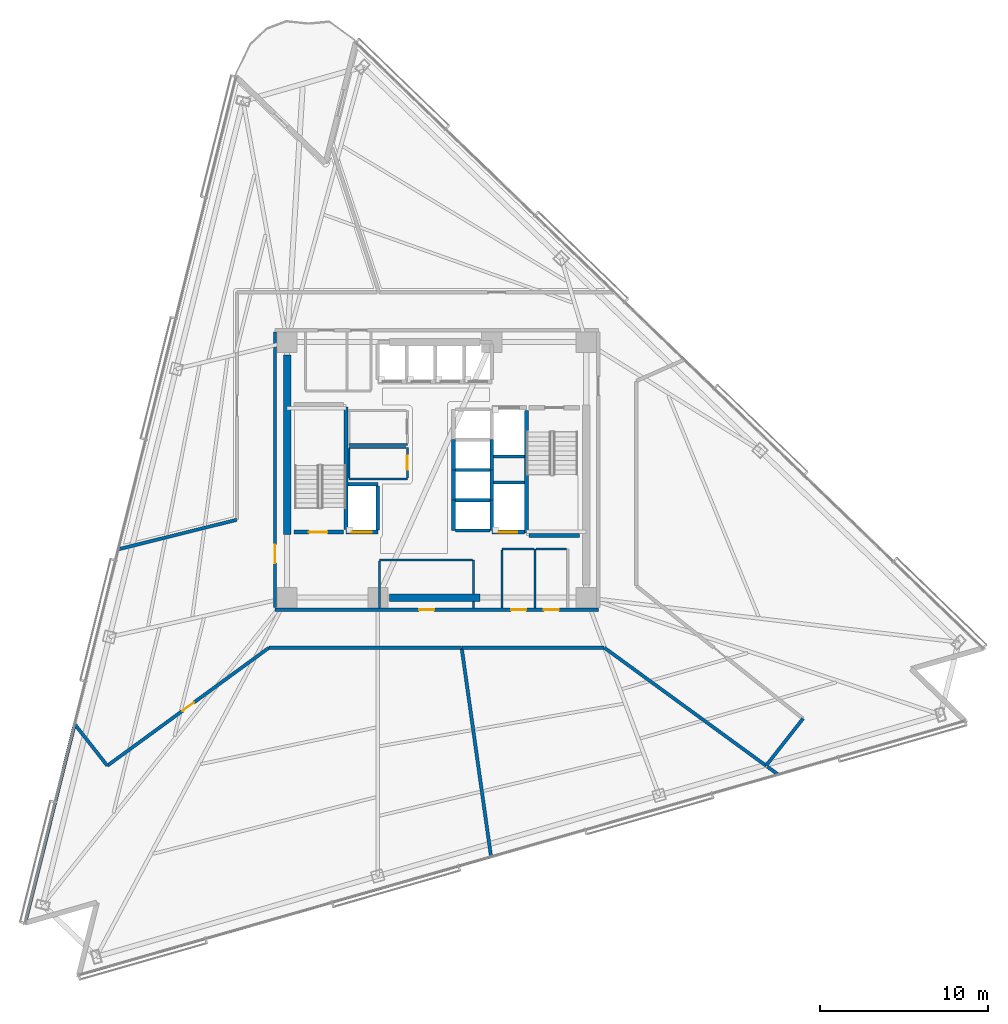
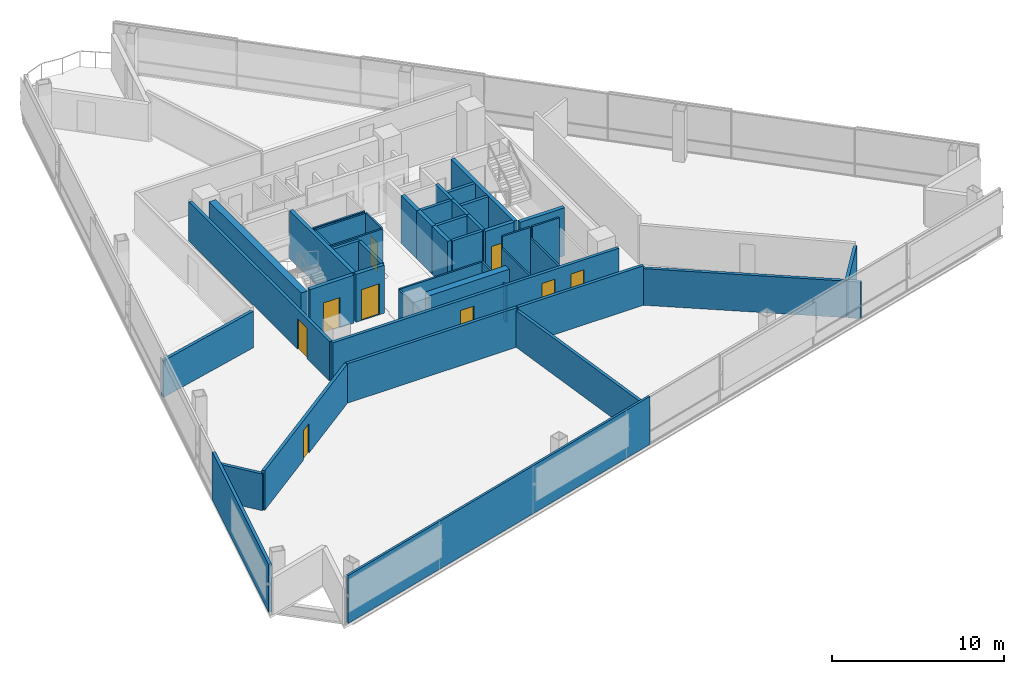
# One storey, part 9 of 18: 47 walls, 9 doors, 9 openings.
"""IFC4 building model written with IfcOpenShell, lengths in metres."""

from ifc_helpers import new_model, si_unit, direction, frame, frame_2d, origin, place, context, subcontext, project, spatial, rectangle, extrude, material, layer, layer_set, type_object, element, fill, save


model = new_model("IFC4")

# Units and contexts
model_context = context("Model", 3, precision=1e-05, world=origin(), true_north=direction((0.0, 1.0)))
body_context = subcontext(model_context, "Body", "Model", "MODEL_VIEW")
ifc_project = project(units=[si_unit("LENGTHUNIT", "METRE"), si_unit("AREAUNIT", "SQUARE_METRE"), si_unit("VOLUMEUNIT", "CUBIC_METRE"), si_unit("PLANEANGLEUNIT", "RADIAN"), si_unit("MASSUNIT", "GRAM", prefix="KILO")], contexts=[model_context])

# Site, building, storey
site_placement = place(None, origin())
site = spatial("IfcSite", under=ifc_project, at=site_placement, CompositionType="ELEMENT")
building_placement = place(site_placement, origin())
building = spatial("IfcBuilding", under=site, at=building_placement, Name="Tharavind Bronze Gate", CompositionType="ELEMENT")
storey_placement = place(building_placement, frame((0.0, 0.0, 100.5)))
storey = spatial("IfcBuildingStorey", under=building, at=storey_placement, Name="L25", CompositionType="ELEMENT", Elevation=100.5)

# Wall, openings, doors
ifc_material_1 = material(Name="Aerated Concrete Block", Category="concrete")
ifc_layer_1 = layer(ifc_material_1, 0.199951171875)
ifc_layer_set_1 = layer_set([ifc_layer_1], Name="Aerated Concrete Block")
wall_type_1 = type_object("IfcWallType", Name="FIRE RATED PARTITION 200", PredefinedType="PARTITIONING", material=ifc_layer_set_1)
wall_1_placement = place(storey_placement, frame((-9.6201171875, -8.320068359375, 0.0), z_axis=(0.0, 0.0, 1.0), x_axis=(1.0, 0.0, 0.0)))
wall_1 = element("IfcWall", 1, at=wall_1_placement, inside=storey, type_object=wall_type_1, Name="L25 south core corridor wall", PredefinedType="PARTITIONING", context=body_context, shape_type="SweptSolid", body=[
    extrude(rectangle(XDim=19.240234375, YDim=0.199951171875, at=frame_2d((9.6201171875, 0.0))), origin(), (0.0, 0.0, 1.0), 2.804931640625),
])
opening_1_placement = place(wall_1_placement, frame((8.570068359375, 0.0, 0.0)))
opening_1 = element("IfcOpeningElement", 2, at=opening_1_placement, cuts=wall_1, Name="Opening ID07", PredefinedType="OPENING", context=body_context, shape_type="SweptSolid", body=[
    extrude(rectangle(XDim=0.89990234375, YDim=2.10009765625, at=frame_2d((0.449951171875, 1.050048828125))), frame((0.0, 0.11009765625, 0.0), z_axis=(0.0, -1.0, 0.0), x_axis=(1.0, 0.0, 0.0)), (0.0, 0.0, 1.0), 0.219951171875),
])
opening_2_placement = place(wall_1_placement, frame((14.044921875, 0.0, 0.0)))
opening_2 = element("IfcOpeningElement", 3, at=opening_2_placement, cuts=wall_1, Name="Opening ID07", PredefinedType="OPENING", context=body_context, shape_type="SweptSolid", body=[
    extrude(rectangle(XDim=0.89990234375, YDim=2.10009765625, at=frame_2d((0.449951171875, 1.050048828125))), frame((0.0, 0.11009765625, 0.0), z_axis=(0.0, -1.0, 0.0), x_axis=(1.0, 0.0, 0.0)), (0.0, 0.0, 1.0), 0.219951171875),
])
opening_3_placement = place(wall_1_placement, frame((15.9951171875, 0.0, 0.0)))
opening_3 = element("IfcOpeningElement", 4, at=opening_3_placement, cuts=wall_1, Name="Opening ID07", PredefinedType="OPENING", context=body_context, shape_type="SweptSolid", body=[
    extrude(rectangle(XDim=0.89990234375, YDim=2.10009765625, at=frame_2d((0.449951171875, 1.050048828125))), frame((0.0, 0.11009765625, 0.0), z_axis=(0.0, -1.0, 0.0), x_axis=(1.0, 0.0, 0.0)), (0.0, 0.0, 1.0), 0.219951171875),
])
ifc_material_2 = material(Name="Galvanised Fire Steel", Category="steel")
door_type_1 = type_object("IfcDoorType", Name="PLANT AND RISER FIRE DOOR 900X2100", OperationType="SINGLE_SWING_LEFT", PredefinedType="DOOR", material=ifc_material_2)
door_1_placement = place(opening_1_placement, origin())
door_1 = element("IfcDoor", 5, at=door_1_placement, inside=storey, type_object=door_type_1, Name="L25 Core BMS Control Room fire door", OperationType="SINGLE_SWING_LEFT", OverallHeight=2.10009765625, OverallWidth=0.89990234375, PredefinedType="DOOR", context=body_context, shape_type="SweptSolid", body=[
    extrude(rectangle(XDim=0.89990234375, YDim=2.10009765625, at=frame_2d((0.449951171875, 1.050048828125))), frame((0.0, 0.02490234375, 0.0), z_axis=(0.0, -1.0, 0.0), x_axis=(1.0, 0.0, 0.0)), (0.0, 0.0, 1.0), 0.050048828125),
])
fill(opening_1, door_1)
door_2_placement = place(opening_2_placement, origin())
door_2 = element("IfcDoor", 6, at=door_2_placement, inside=storey, type_object=door_type_1, Name="L25 Comms Patch Room fire door", OperationType="SINGLE_SWING_LEFT", OverallHeight=2.10009765625, OverallWidth=0.89990234375, PredefinedType="DOOR", context=body_context, shape_type="SweptSolid", body=[
    extrude(rectangle(XDim=0.89990234375, YDim=2.10009765625, at=frame_2d((0.449951171875, 1.050048828125))), frame((0.0, 0.02490234375, 0.0), z_axis=(0.0, -1.0, 0.0), x_axis=(1.0, 0.0, 0.0)), (0.0, 0.0, 1.0), 0.050048828125),
])
fill(opening_2, door_2)
door_3_placement = place(opening_3_placement, origin())
door_3 = element("IfcDoor", 7, at=door_3_placement, inside=storey, type_object=door_type_1, Name="L25 Housekeeping Store fire door", OperationType="SINGLE_SWING_LEFT", OverallHeight=2.10009765625, OverallWidth=0.89990234375, PredefinedType="DOOR", context=body_context, shape_type="SweptSolid", body=[
    extrude(rectangle(XDim=0.89990234375, YDim=2.10009765625, at=frame_2d((0.449951171875, 1.050048828125))), frame((0.0, 0.02490234375, 0.0), z_axis=(0.0, -1.0, 0.0), x_axis=(1.0, 0.0, 0.0)), (0.0, 0.0, 1.0), 0.050048828125),
])
fill(opening_3, door_3)

# Wall, opening, door
wall_2_placement = place(storey_placement, frame((-9.6201171875, 8.199951171875, 0.0), z_axis=(0.0, 0.0, 1.0), x_axis=(0.0, -1.0, 0.0)))
wall_2 = element("IfcWall", 8, at=wall_2_placement, inside=storey, type_object=wall_type_1, Name="L25 west core corridor wall", PredefinedType="PARTITIONING", context=body_context, shape_type="SweptSolid", body=[
    extrude(rectangle(XDim=16.39990234375, YDim=0.199951171875, at=frame_2d((8.199951171875, 0.0))), origin(), (0.0, 0.0, 1.0), 2.804931640625),
])
opening_4_placement = place(wall_2_placement, frame((12.64990234375, 0.0, 0.0)))
opening_4 = element("IfcOpeningElement", 9, at=opening_4_placement, cuts=wall_2, Name="Opening ID01", PredefinedType="OPENING", context=body_context, shape_type="SweptSolid", body=[
    extrude(rectangle(XDim=1.10009765625, YDim=2.14990234375, at=frame_2d((0.550048828125, 1.074951171875))), frame((0.0, 0.11009765625, 0.0), z_axis=(0.0, -1.0, 0.0), x_axis=(1.0, 0.0, 0.0)), (0.0, 0.0, 1.0), 0.219951171875),
])
ifc_material_3 = material(Name="Fire-Rated Steel", Category="steel")
door_type_2 = type_object("IfcDoorType", Name="STAIR CORE FIRE DOOR 1100X2150", OperationType="SINGLE_SWING_LEFT", PredefinedType="DOOR", material=ifc_material_3)
door_4_placement = place(opening_4_placement, frame((1.10009765625, 0.0, 0.0), z_axis=(0.0, 0.0, 1.0), x_axis=(-1.0, 0.0, 0.0)))
door_4 = element("IfcDoor", 10, at=door_4_placement, inside=storey, type_object=door_type_2, Name="L25 south west stair lobby fire door", OperationType="SINGLE_SWING_LEFT", OverallHeight=2.14990234375, OverallWidth=1.10009765625, PredefinedType="DOOR", context=body_context, shape_type="SweptSolid", body=[
    extrude(rectangle(XDim=1.10009765625, YDim=2.14990234375, at=frame_2d((0.550048828125, 1.074951171875))), frame((0.0, 0.02490234375, 0.0), z_axis=(0.0, -1.0, 0.0), x_axis=(1.0, 0.0, 0.0)), (0.0, 0.0, 1.0), 0.050048828125),
])
fill(opening_4, door_4)

# Wall
wall_3_placement = place(storey_placement, frame((-21.539306640625, -15.1318359375, 0.0), z_axis=(0.0, 0.0, 1.0), x_axis=(0.617821551932, -0.786318338822, 0.0)))
element("IfcWall", 11, at=wall_3_placement, inside=storey, type_object=wall_type_1, Name="L25 Public Restrooms Block partition", PredefinedType="PARTITIONING", context=body_context, shape_type="SweptSolid", body=[
    extrude(rectangle(XDim=3.138427734375, YDim=0.199951171875, at=frame_2d((1.5693359375, 0.0))), origin(), (0.0, 0.0, 1.0), 2.60498046875),
])

# Wall, opening, door
wall_4_placement = place(storey_placement, frame((-19.599609375, -17.599609375, 0.0), z_axis=(0.0, 0.0, 1.0), x_axis=(0.807841894842, 0.589399247486, 0.0)))
wall_4 = element("IfcWall", 12, at=wall_4_placement, inside=storey, type_object=wall_type_1, Name="L25 Public Restrooms Block partition", PredefinedType="PARTITIONING", context=body_context, shape_type="SweptSolid", body=[
    extrude(rectangle(XDim=11.90185546875, YDim=0.199951171875, at=frame_2d((5.950927734375, 0.0))), origin(), (0.0, 0.0, 1.0), 2.804931640625),
])
opening_5_placement = place(wall_4_placement, frame((5.52587890625, 0.0, 0.0)))
opening_5 = element("IfcOpeningElement", 13, at=opening_5_placement, cuts=wall_4, Name="Opening ID06", PredefinedType="OPENING", context=body_context, shape_type="SweptSolid", body=[
    extrude(rectangle(XDim=0.85009765625, YDim=2.10009765625, at=frame_2d((0.425048828125, 1.050048828125))), frame((0.0, 0.11009765625, 0.0), z_axis=(0.0, -1.0, 0.0), x_axis=(1.0, 0.0, 0.0)), (0.0, 0.0, 1.0), 0.219951171875),
])
ifc_material_4 = material(Name="Moisture-Resistant Timber", Category="wood")
door_type_3 = type_object("IfcDoorType", Name="BATHROOM PRIVACY DOOR 850X2100", OperationType="SINGLE_SWING_RIGHT", PredefinedType="DOOR", material=ifc_material_4)
door_5_placement = place(opening_5_placement, origin())
door_5 = element("IfcDoor", 14, at=door_5_placement, inside=storey, type_object=door_type_3, Name="L25 Public Restrooms Block door", OperationType="SINGLE_SWING_RIGHT", OverallHeight=2.10009765625, OverallWidth=0.85009765625, PredefinedType="DOOR", context=body_context, shape_type="SweptSolid", body=[
    extrude(rectangle(XDim=0.85009765625, YDim=2.10009765625, at=frame_2d((0.425048828125, 1.050048828125))), frame((0.0, 0.02490234375, 0.0), z_axis=(0.0, -1.0, 0.0), x_axis=(1.0, 0.0, 0.0)), (0.0, 0.0, 1.0), 0.050048828125),
])
fill(opening_5, door_5)

# Walls
wall_5_placement = place(storey_placement, frame((-9.969970703125, -10.580078125, 0.0), z_axis=(0.0, 0.0, 1.0), x_axis=(1.0, 0.0, 0.0)))
element("IfcWall", 15, at=wall_5_placement, inside=storey, type_object=wall_type_1, Name="L25 Public Restrooms Block partition", PredefinedType="PARTITIONING", context=body_context, shape_type="SweptSolid", body=[
    extrude(rectangle(XDim=11.43505859375, YDim=0.199951171875, at=frame_2d((5.717529296875, 0.0))), origin(), (0.0, 0.0, 1.0), 2.804931640625),
])
wall_6_placement = place(storey_placement, frame((1.489990234375, -10.6015625, 0.0), z_axis=(0.0, 0.0, 1.0), x_axis=(0.139175607773, -0.990267716429, 0.0)))
element("IfcWall", 16, at=wall_6_placement, inside=storey, type_object=wall_type_1, Name="L25 Public Restrooms Block partition", PredefinedType="PARTITIONING", context=body_context, shape_type="SweptSolid", body=[
    extrude(rectangle(XDim=12.5126953125, YDim=0.199951171875, at=frame_2d((6.25634765625, 0.0))), origin(), (0.0, 0.0, 1.0), 2.60498046875),
])
wall_7_placement = place(storey_placement, frame((-24.446044921875, -26.789794921875, 0.0), z_axis=(0.0, 0.0, 1.0), x_axis=(0.241921580704, 0.970295804788, 0.0)))
element("IfcWall", 17, at=wall_7_placement, inside=storey, type_object=wall_type_1, Name="L25 Public Restrooms Block partition", PredefinedType="PARTITIONING", context=body_context, shape_type="SweptSolid", body=[
    extrude(rectangle(XDim=11.882080078125, YDim=0.199951171875, at=frame_2d((5.94091796875, 0.0))), origin(), (0.0, 0.0, 1.0), 3.409912109375),
])
wall_8_placement = place(storey_placement, frame((-11.89892578125, -2.966796875, 0.0), z_axis=(0.0, 0.0, 1.0), x_axis=(-0.970294606892, -0.241926385161, 0.0)))
element("IfcWall", 18, at=wall_8_placement, inside=storey, type_object=wall_type_1, Name="L25 Design Review Room partition", PredefinedType="PARTITIONING", context=body_context, shape_type="SweptSolid", body=[
    extrude(rectangle(XDim=7.2607421875, YDim=0.199951171875, at=frame_2d((3.63037109375, 0.0))), origin(), (0.0, 0.0, 1.0), 2.60498046875),
])
wall_9_placement = place(storey_placement, frame((19.600341796875, -17.599609375, 0.0), z_axis=(0.0, 0.0, 1.0), x_axis=(0.617812464937, 0.786325478519, 0.0)))
element("IfcWall", 19, at=wall_9_placement, inside=storey, type_object=wall_type_1, Name="L25 Design Tea Pantry partition", PredefinedType="PARTITIONING", context=body_context, shape_type="SweptSolid", body=[
    extrude(rectangle(XDim=3.5595703125, YDim=0.199951171875, at=frame_2d((1.77978515625, 0.0))), origin(), (0.0, 0.0, 1.0), 2.60498046875),
])
wall_10_placement = place(storey_placement, frame((1.515625, -10.580078125, 0.0), z_axis=(0.0, 0.0, 1.0), x_axis=(1.0, 0.0, 0.0)))
element("IfcWall", 20, at=wall_10_placement, inside=storey, type_object=wall_type_1, Name="L25 Design Tea Pantry partition", PredefinedType="PARTITIONING", context=body_context, shape_type="SweptSolid", body=[
    extrude(rectangle(XDim=8.454345703125, YDim=0.199951171875, at=frame_2d((4.22705078125, 0.0))), origin(), (0.0, 0.0, 1.0), 2.804931640625),
])
wall_11_placement = place(storey_placement, frame((9.98486328125, -10.584716796875, 0.0), z_axis=(0.0, 0.0, 1.0), x_axis=(0.807843141824, -0.589397538345, 0.0)))
element("IfcWall", 21, at=wall_11_placement, inside=storey, type_object=wall_type_1, Name="L25 Design Tea Pantry partition", PredefinedType="PARTITIONING", context=body_context, shape_type="SweptSolid", body=[
    extrude(rectangle(XDim=11.91845703125, YDim=0.199951171875, at=frame_2d((5.959228515625, 0.0))), origin(), (0.0, 0.0, 1.0), 2.60498046875),
])
wall_12_placement = place(storey_placement, frame((19.684814453125, -17.661865234375, 0.0), z_axis=(0.0, 0.0, 1.0), x_axis=(0.807957444925, -0.589240839717, 0.0)))
element("IfcWall", 22, at=wall_12_placement, inside=storey, type_object=wall_type_1, Name="L25 Design Tea Pantry partition", PredefinedType="PARTITIONING", context=body_context, shape_type="SweptSolid", body=[
    extrude(rectangle(XDim=0.7734375, YDim=0.199951171875, at=frame_2d((0.38671875, 0.0))), origin(), (0.0, 0.0, 1.0), 2.60498046875),
])
ifc_material_5 = material(Name="Metal Stud Gypsum Partition", Category="gypsum")
ifc_layer_2 = layer(ifc_material_5, 0.1201171875)
ifc_layer_set_2 = layer_set([ifc_layer_2], Name="Metal Stud Gypsum Partition")
wall_type_2 = type_object("IfcWallType", Name="INTERIOR PARTITION WALL 120", PredefinedType="PARTITIONING", material=ifc_layer_set_2)
for number, where, z_axis, x_axis, name in (
    (23, (-5.219970703125, 1.52001953125, 0.0), (0.0, 0.0, 1.0), (1.0, 0.0, 0.0), "L25 Cleaner Store Room partition 1"),
    (24, (-5.219970703125, -0.550048828125, 0.0), (0.0, 0.0, 1.0), (1.0, 0.0, 0.0), "L25 Electrical Switch Room partition 1"),
):
    element("IfcWall", number, at=place(storey_placement, frame(where, z_axis=z_axis, x_axis=x_axis)), inside=storey, type_object=wall_type_2, Name=name, PredefinedType="PARTITIONING", context=body_context, shape_type="SweptSolid", body=[
        extrude(rectangle(XDim=3.469970703125, YDim=0.1201171875, at=frame_2d((1.73486328125, 0.0))), origin(), (0.0, 0.0, 1.0), 3.409912109375),
    ])

# Wall, opening, door
wall_13_placement = place(storey_placement, frame((-1.75, -0.485107421875, 0.0), z_axis=(0.0, 0.0, 1.0), x_axis=(0.0, 1.0, 0.0)))
wall_13 = element("IfcWall", 25, at=wall_13_placement, inside=storey, type_object=wall_type_2, Name="L25 Electrical Switch Room partition 2", PredefinedType="PARTITIONING", context=body_context, shape_type="SweptSolid", body=[
    extrude(rectangle(XDim=1.8251953125, YDim=0.1201171875, at=frame_2d((0.91259765625, 0.0))), origin(), (0.0, 0.0, 1.0), 3.409912109375),
])
opening_6_placement = place(wall_13_placement, frame((0.488037109375, 0.0, 0.0)))
opening_6 = element("IfcOpeningElement", 26, at=opening_6_placement, cuts=wall_13, Name="Opening ID06", PredefinedType="OPENING", context=body_context, shape_type="SweptSolid", body=[
    extrude(rectangle(XDim=0.85009765625, YDim=2.10009765625, at=frame_2d((0.425048828125, 1.050048828125))), frame((0.0, 0.07005859375, 0.0), z_axis=(0.0, -1.0, 0.0), x_axis=(1.0, 0.0, 0.0)), (0.0, 0.0, 1.0), 0.1401171875),
])
door_6_placement = place(opening_6_placement, frame((0.85009765625, 0.0, 0.0), z_axis=(0.0, 0.0, 1.0), x_axis=(-1.0, 0.0, 0.0)))
door_6 = element("IfcDoor", 27, at=door_6_placement, inside=storey, type_object=door_type_3, Name="L25 Electrical Switch Room door", OperationType="SINGLE_SWING_RIGHT", OverallHeight=2.10009765625, OverallWidth=0.85009765625, PredefinedType="DOOR", context=body_context, shape_type="SweptSolid", body=[
    extrude(rectangle(XDim=0.85009765625, YDim=2.10009765625, at=frame_2d((0.425048828125, 1.050048828125))), frame((0.0, 0.02490234375, 0.0), z_axis=(0.0, -1.0, 0.0), x_axis=(1.0, 0.0, 0.0)), (0.0, 0.0, 1.0), 0.050048828125),
])
fill(opening_6, door_6)

# Walls
wall_14_placement = place(storey_placement, frame((-1.81494140625, 1.340087890625, 0.0), z_axis=(0.0, 0.0, 1.0), x_axis=(-1.0, 0.0, 0.0)))
element("IfcWall", 28, at=wall_14_placement, inside=storey, type_object=wall_type_2, Name="L25 Electrical Switch Room partition 3", PredefinedType="PARTITIONING", context=body_context, shape_type="SweptSolid", body=[
    extrude(rectangle(XDim=3.405029296875, YDim=0.1201171875, at=frame_2d((1.70263671875, 0.0))), origin(), (0.0, 0.0, 1.0), 3.409912109375),
])
wall_15_placement = place(storey_placement, frame((-5.219970703125, 1.27490234375, 0.0), z_axis=(0.0, 0.0, 1.0), x_axis=(0.0, -1.0, 0.0)))
element("IfcWall", 29, at=wall_15_placement, inside=storey, type_object=wall_type_2, Name="L25 Electrical Switch Room partition 4", PredefinedType="PARTITIONING", context=body_context, shape_type="SweptSolid", body=[
    extrude(rectangle(XDim=1.760009765625, YDim=0.1201171875, at=frame_2d((0.8798828125, 0.0))), origin(), (0.0, 0.0, 1.0), 3.409912109375),
])
wall_16_placement = place(storey_placement, frame((2.199951171875, -8.215087890625, 0.0), z_axis=(0.0, 0.0, 1.0), x_axis=(0.0, 1.0, 0.0)))
element("IfcWall", 30, at=wall_16_placement, inside=storey, type_object=wall_type_2, Name="L25 Core BMS Control Room partition 2", PredefinedType="PARTITIONING", context=body_context, shape_type="SweptSolid", body=[
    extrude(rectangle(XDim=0.385009765625, YDim=0.1201171875, at=frame_2d((0.1923828125, 0.0))), origin(), (0.0, 0.0, 1.0), 2.60498046875),
])
wall_17_placement = place(storey_placement, frame((2.199951171875, -7.3701171875, 0.0), z_axis=(0.0, 0.0, 1.0), x_axis=(0.0, 1.0, 0.0)))
element("IfcWall", 31, at=wall_17_placement, inside=storey, type_object=wall_type_2, Name="L25 Core BMS Control Room partition 2", PredefinedType="PARTITIONING", context=body_context, shape_type="SweptSolid", body=[
    extrude(rectangle(XDim=2.02001953125, YDim=0.1201171875, at=frame_2d((1.010009765625, 0.0))), origin(), (0.0, 0.0, 1.0), 2.60498046875),
])
wall_18_placement = place(storey_placement, frame((2.135009765625, -5.35009765625, 0.0), z_axis=(0.0, 0.0, 1.0), x_axis=(-1.0, 0.0, 0.0)))
element("IfcWall", 32, at=wall_18_placement, inside=storey, type_object=wall_type_2, Name="L25 Core BMS Control Room partition 3", PredefinedType="PARTITIONING", context=body_context, shape_type="SweptSolid", body=[
    extrude(rectangle(XDim=5.534912109375, YDim=0.1201171875, at=frame_2d((2.767578125, 0.0))), origin(), (0.0, 0.0, 1.0), 2.60498046875),
])
wall_19_placement = place(storey_placement, frame((-3.39990234375, -5.4150390625, 0.0), z_axis=(0.0, 0.0, 1.0), x_axis=(0.0, -1.0, 0.0)))
element("IfcWall", 33, at=wall_19_placement, inside=storey, type_object=wall_type_2, Name="L25 Core BMS Control Room partition 4", PredefinedType="PARTITIONING", context=body_context, shape_type="SweptSolid", body=[
    extrude(rectangle(XDim=2.800048828125, YDim=0.1201171875, at=frame_2d((1.39990234375, 0.0))), origin(), (0.0, 0.0, 1.0), 2.60498046875),
])
wall_20_placement = place(storey_placement, frame((5.85009765625, -8.215087890625, 0.0), z_axis=(0.0, 0.0, 1.0), x_axis=(0.0, 1.0, 0.0)))
element("IfcWall", 34, at=wall_20_placement, inside=storey, type_object=wall_type_2, Name="L25 Comms Patch Room partition 2", PredefinedType="PARTITIONING", context=body_context, shape_type="SweptSolid", body=[
    extrude(rectangle(XDim=3.51513671875, YDim=0.1201171875, at=frame_2d((1.757568359375, 0.0))), origin(), (0.0, 0.0, 1.0), 2.60498046875),
])
wall_21_placement = place(storey_placement, frame((5.784912109375, -4.699951171875, 0.0), z_axis=(0.0, 0.0, 1.0), x_axis=(-1.0, 0.0, 0.0)))
element("IfcWall", 35, at=wall_21_placement, inside=storey, type_object=wall_type_2, Name="L25 Comms Patch Room partition 3", PredefinedType="PARTITIONING", context=body_context, shape_type="SweptSolid", body=[
    extrude(rectangle(XDim=1.885009765625, YDim=0.1201171875, at=frame_2d((0.9423828125, 0.0))), origin(), (0.0, 0.0, 1.0), 3.409912109375),
])
wall_22_placement = place(storey_placement, frame((3.89990234375, -4.764892578125, 0.0), z_axis=(0.0, 0.0, 1.0), x_axis=(0.0, -1.0, 0.0)))
element("IfcWall", 36, at=wall_22_placement, inside=storey, type_object=wall_type_2, Name="L25 Comms Patch Room partition 4", PredefinedType="PARTITIONING", context=body_context, shape_type="SweptSolid", body=[
    extrude(rectangle(XDim=3.4501953125, YDim=0.1201171875, at=frame_2d((1.72509765625, 0.0))), origin(), (0.0, 0.0, 1.0), 2.60498046875),
])
wall_23_placement = place(storey_placement, frame((7.735107421875, -4.699951171875, 0.0), z_axis=(0.0, 0.0, 1.0), x_axis=(-1.0, 0.0, 0.0)))
element("IfcWall", 37, at=wall_23_placement, inside=storey, type_object=wall_type_2, Name="L25 Housekeeping Store partition 3", PredefinedType="PARTITIONING", context=body_context, shape_type="SweptSolid", body=[
    extrude(rectangle(XDim=1.820068359375, YDim=0.1201171875, at=frame_2d((0.91015625, 0.0))), origin(), (0.0, 0.0, 1.0), 3.409912109375),
])
ifc_material_6 = material(Name="Twin Stud Acoustic Gypsum", Category="gypsum")
ifc_layer_3 = layer(ifc_material_6, 0.14990234375)
ifc_layer_set_3 = layer_set([ifc_layer_3], Name="Twin Stud Acoustic Gypsum")
wall_type_3 = type_object("IfcWallType", Name="INTERIOR PARTITION WALL 150", PredefinedType="PARTITIONING", material=ifc_layer_set_3)
wall_24_placement = place(storey_placement, frame((3.21337890625, -23.02001953125, 0.0), z_axis=(0.0, 0.0, 1.0), x_axis=(-0.961261509508, -0.275638005977, 0.0)))
element("IfcWall", 38, at=wall_24_placement, inside=storey, type_object=wall_type_3, Name="L25 Public Restrooms Block partition", PredefinedType="PARTITIONING", context=body_context, shape_type="SweptSolid", body=[
    extrude(rectangle(XDim=25.317626953125, YDim=0.14990234375, at=frame_2d((12.65869140625, 0.0))), origin(), (0.0, 0.0, 1.0), 3.409912109375),
])
ifc_material_7 = material(Name="Concrete C50/60", Category="concrete")
ifc_layer_4 = layer(ifc_material_7, 0.25)
ifc_layer_set_4 = layer_set([ifc_layer_4], Name="Concrete C50/60")
wall_type_4 = type_object("IfcWallType", Name="RC CORE SHEAR WALL 250", PredefinedType="SHEAR", material=ifc_layer_set_4)
wall_25_placement = place(storey_placement, frame((-5.39990234375, -3.550048828125, 0.0), z_axis=(0.0, 0.0, 1.0), x_axis=(0.0, 1.0, 0.0)))
element("IfcWall", 39, at=wall_25_placement, inside=storey, type_object=wall_type_4, Name="L25 ST1 shaft east wall", PredefinedType="SHEAR", context=body_context, shape_type="SweptSolid", body=[
    extrude(rectangle(XDim=7.300048828125, YDim=0.25, at=frame_2d((3.64990234375, 0.0))), origin(), (0.0, 0.0, 1.0), 3.409912109375),
])

# Wall, opening, door
wall_26_placement = place(storey_placement, frame((-8.5, -3.699951171875, 0.0), z_axis=(0.0, 0.0, 1.0), x_axis=(1.0, 0.0, 0.0)))
wall_26 = element("IfcWall", 40, at=wall_26_placement, inside=storey, type_object=wall_type_4, Name="L25 ST1 shaft south wall", PredefinedType="SHEAR", context=body_context, shape_type="SweptSolid", body=[
    extrude(rectangle(XDim=2.949951171875, YDim=0.25, at=frame_2d((1.47509765625, 0.0))), origin(), (0.0, 0.0, 1.0), 3.409912109375),
])
opening_7_placement = place(wall_26_placement, frame((0.89990234375, 0.0, 0.0)))
opening_7 = element("IfcOpeningElement", 41, at=opening_7_placement, cuts=wall_26, Name="Opening ID01", PredefinedType="OPENING", context=body_context, shape_type="SweptSolid", body=[
    extrude(rectangle(XDim=1.10009765625, YDim=2.14990234375, at=frame_2d((0.550048828125, 1.074951171875))), frame((0.0, 0.135, 0.0), z_axis=(0.0, -1.0, 0.0), x_axis=(1.0, 0.0, 0.0)), (0.0, 0.0, 1.0), 0.27),
])
door_7_placement = place(opening_7_placement, origin())
door_7 = element("IfcDoor", 42, at=door_7_placement, inside=storey, type_object=door_type_2, Name="L25 exit stair ST1 fire door", OperationType="SINGLE_SWING_LEFT", OverallHeight=2.14990234375, OverallWidth=1.10009765625, PredefinedType="DOOR", context=body_context, shape_type="SweptSolid", body=[
    extrude(rectangle(XDim=1.10009765625, YDim=2.14990234375, at=frame_2d((0.550048828125, 1.074951171875))), frame((0.0, 0.02490234375, 0.0), z_axis=(0.0, -1.0, 0.0), x_axis=(1.0, 0.0, 0.0)), (0.0, 0.0, 1.0), 0.050048828125),
])
fill(opening_7, door_7)

# Walls
wall_27_placement = place(storey_placement, frame((5.35009765625, -3.75, 0.0), z_axis=(0.0, 0.0, 1.0), x_axis=(0.0, 1.0, 0.0)))
element("IfcWall", 43, at=wall_27_placement, inside=storey, type_object=wall_type_4, Name="L25 ST2 shaft west wall", PredefinedType="SHEAR", context=body_context, shape_type="SweptSolid", body=[
    extrude(rectangle(XDim=7.300048828125, YDim=0.25, at=frame_2d((3.64990234375, 0.0))), origin(), (0.0, 0.0, 1.0), 3.409912109375),
])
wall_28_placement = place(storey_placement, frame((5.5, -3.89990234375, 0.0), z_axis=(0.0, 0.0, 1.0), x_axis=(1.0, 0.0, 0.0)))
element("IfcWall", 44, at=wall_28_placement, inside=storey, type_object=wall_type_4, Name="L25 ST2 shaft south wall", PredefinedType="SHEAR", context=body_context, shape_type="SweptSolid", body=[
    extrude(rectangle(XDim=3.0, YDim=0.25, at=frame_2d((1.5, 0.0))), origin(), (0.0, 0.0, 1.0), 3.409912109375),
])
for number, where, z_axis, x_axis, name in (
    (45, (1.0, -3.60009765625, 0.0), (0.0, 0.0, 1.0), (0.0, 1.0, 0.0), "L25 lift PL9 shaft front wall"),
    (46, (1.0, -1.800048828125, 0.0), (0.0, 0.0, 1.0), (0.0, 1.0, 0.0), "L25 lift PL10 shaft front wall"),
    (47, (1.0, 0.0, 0.0), (0.0, 0.0, 1.0), (0.0, 1.0, 0.0), "L25 lift PL11 shaft front wall"),
):
    element("IfcWall", number, at=place(storey_placement, frame(where, z_axis=z_axis, x_axis=x_axis)), inside=storey, type_object=wall_type_4, Name=name, PredefinedType="SHEAR", context=body_context, shape_type="SweptSolid", body=[
        extrude(rectangle(XDim=1.800048828125, YDim=0.25, at=frame_2d((0.89990234375, 0.0))), origin(), (0.0, 0.0, 1.0), 3.409912109375),
    ])

# Wall, opening, door
wall_29_placement = place(storey_placement, frame((-5.39990234375, -3.699951171875, 0.0), z_axis=(0.0, 0.0, 1.0), x_axis=(1.0, 0.0, 0.0)))
wall_29 = element("IfcWall", 48, at=wall_29_placement, inside=storey, type_object=wall_type_4, Name="L25 lift FFL1 shaft front wall", PredefinedType="SHEAR", context=body_context, shape_type="SweptSolid", body=[
    extrude(rectangle(XDim=1.89990234375, YDim=0.25, at=frame_2d((0.949951171875, 0.0))), origin(), (0.0, 0.0, 1.0), 3.409912109375),
])
opening_8_placement = place(wall_29_placement, frame((0.35009765625, 0.0, 0.0)))
opening_8 = element("IfcOpeningElement", 49, at=opening_8_placement, cuts=wall_29, Name="Opening LD02", PredefinedType="OPENING", context=body_context, shape_type="SweptSolid", body=[
    extrude(rectangle(XDim=1.199951171875, YDim=2.199951171875, at=frame_2d((0.60009765625, 1.10009765625))), frame((0.0, 0.135, 0.0), z_axis=(0.0, -1.0, 0.0), x_axis=(1.0, 0.0, 0.0)), (0.0, 0.0, 1.0), 0.27),
])
ifc_material_8 = material(Name="Brushed Stainless Steel", Category="steel")
door_type_4 = type_object("IfcDoorType", Name="FIREFIGHTING LIFT LANDING DOOR 1200X2200", OperationType="SLIDING_TO_RIGHT", PredefinedType="DOOR", material=ifc_material_8)
door_8_placement = place(opening_8_placement, origin())
door_8 = element("IfcDoor", 50, at=door_8_placement, inside=storey, type_object=door_type_4, Name="L25 lift FFL1 sliding landing door", OperationType="SLIDING_TO_RIGHT", OverallHeight=2.199951171875, OverallWidth=1.199951171875, PredefinedType="DOOR", context=body_context, shape_type="SweptSolid", body=[
    extrude(rectangle(XDim=1.199951171875, YDim=2.199951171875, at=frame_2d((0.60009765625, 1.10009765625))), frame((0.0, 0.02490234375, 0.0), z_axis=(0.0, -1.0, 0.0), x_axis=(1.0, 0.0, 0.0)), (0.0, 0.0, 1.0), 0.050048828125),
])
fill(opening_8, door_8)

wall_30_placement = place(storey_placement, frame((3.280029296875, -3.699951171875, 0.0), z_axis=(0.0, 0.0, 1.0), x_axis=(1.0, 0.0, 0.0)))
wall_30 = element("IfcWall", 51, at=wall_30_placement, inside=storey, type_object=wall_type_4, Name="L25 lift SVL1 shaft front wall", PredefinedType="SHEAR", context=body_context, shape_type="SweptSolid", body=[
    extrude(rectangle(XDim=1.93994140625, YDim=0.25, at=frame_2d((0.969970703125, 0.0))), origin(), (0.0, 0.0, 1.0), 3.409912109375),
])
opening_9_placement = place(wall_30_placement, frame((0.419921875, 0.0, 0.0)))
opening_9 = element("IfcOpeningElement", 52, at=opening_9_placement, cuts=wall_30, Name="Opening LD01", PredefinedType="OPENING", context=body_context, shape_type="SweptSolid", body=[
    extrude(rectangle(XDim=1.10009765625, YDim=2.199951171875, at=frame_2d((0.550048828125, 1.10009765625))), frame((0.0, 0.135, 0.0), z_axis=(0.0, -1.0, 0.0), x_axis=(1.0, 0.0, 0.0)), (0.0, 0.0, 1.0), 0.27),
])
ifc_material_9 = material(Name="Brushed Bronze Stainless Steel", Category="steel")
door_type_5 = type_object("IfcDoorType", Name="LIFT LANDING SLIDING DOOR 1100X2200", OperationType="SLIDING_TO_LEFT", PredefinedType="DOOR", material=ifc_material_9)
door_9_placement = place(opening_9_placement, origin())
door_9 = element("IfcDoor", 53, at=door_9_placement, inside=storey, type_object=door_type_5, Name="L25 lift SVL1 sliding landing door", OperationType="SLIDING_TO_LEFT", OverallHeight=2.199951171875, OverallWidth=1.10009765625, PredefinedType="DOOR", context=body_context, shape_type="SweptSolid", body=[
    extrude(rectangle(XDim=1.10009765625, YDim=2.199951171875, at=frame_2d((0.550048828125, 1.10009765625))), frame((0.0, 0.02490234375, 0.0), z_axis=(0.0, -1.0, 0.0), x_axis=(1.0, 0.0, 0.0)), (0.0, 0.0, 1.0), 0.050048828125),
])
fill(opening_9, door_9)

# Walls
ifc_material_10 = material(Name="Concrete C60/75", Category="concrete")
ifc_layer_5 = layer(ifc_material_10, 0.449951171875)
ifc_layer_set_5 = layer_set([ifc_layer_5], Name="Concrete C60/75")
wall_type_5 = type_object("IfcWallType", Name="RC CORE SHEAR WALL 450", PredefinedType="SHEAR", material=ifc_layer_set_5)
wall_31_placement = place(storey_placement, frame((-2.800048828125, -7.60009765625, 0.0), z_axis=(0.0, 0.0, 1.0), x_axis=(1.0, 0.0, 0.0)))
element("IfcWall", 54, at=wall_31_placement, inside=storey, type_object=wall_type_5, Name="L25 south core shear wall", PredefinedType="SHEAR", context=body_context, shape_type="SweptSolid", body=[
    extrude(rectangle(XDim=5.380126953125, YDim=0.449951171875, at=frame_2d((2.68994140625, 0.0))), origin(), (0.0, 0.0, 1.0), 3.409912109375),
])
wall_32_placement = place(storey_placement, frame((-8.89990234375, -3.85009765625, 0.0), z_axis=(0.0, 0.0, 1.0), x_axis=(0.0, 1.0, 0.0)))
element("IfcWall", 55, at=wall_32_placement, inside=storey, type_object=wall_type_5, Name="L25 west core shear wall", PredefinedType="SHEAR", context=body_context, shape_type="SweptSolid", body=[
    extrude(rectangle(XDim=10.7001953125, YDim=0.449951171875, at=frame_2d((5.35009765625, 0.0))), origin(), (0.0, 0.0, 1.0), 3.409912109375),
])
ifc_material_11 = material(Name="Concrete C40/50", Category="concrete")
ifc_layer_6 = layer(ifc_material_11, 0.199951171875)
ifc_layer_set_6 = layer_set([ifc_layer_6], Name="Concrete C40/50")
wall_type_6 = type_object("IfcWallType", Name="SHAFT ENCLOSURE WALL 200", PredefinedType="PARTITIONING", material=ifc_layer_set_6)
wall_33_placement = place(storey_placement, frame((3.280029296875, -3.60009765625, 0.0), z_axis=(0.0, 0.0, 1.0), x_axis=(0.0, 1.0, 0.0)))
element("IfcWall", 56, at=wall_33_placement, inside=storey, type_object=wall_type_6, Name="L25 lift PL9 shaft E enclosure wall", PredefinedType="PARTITIONING", context=body_context, shape_type="SweptSolid", body=[
    extrude(rectangle(XDim=1.800048828125, YDim=0.199951171875, at=frame_2d((0.89990234375, 0.0))), origin(), (0.0, 0.0, 1.0), 3.409912109375),
])
for number, where, z_axis, x_axis, name in (
    (57, (1.1298828125, -3.60009765625, 0.0), (0.0, 0.0, 1.0), (1.0, 0.0, 0.0), "L25 lift PL9 shaft S enclosure wall"),
    (58, (1.1298828125, -1.800048828125, 0.0), (0.0, 0.0, 1.0), (1.0, 0.0, 0.0), "L25 lift PL9 shaft N enclosure wall"),
):
    element("IfcWall", number, at=place(storey_placement, frame(where, z_axis=z_axis, x_axis=x_axis)), inside=storey, type_object=wall_type_6, Name=name, PredefinedType="PARTITIONING", context=body_context, shape_type="SweptSolid", body=[
        extrude(rectangle(XDim=2.045166015625, YDim=0.199951171875, at=frame_2d((1.0224609375, 0.0))), origin(), (0.0, 0.0, 1.0), 3.409912109375),
    ])
wall_34_placement = place(storey_placement, frame((3.280029296875, -1.800048828125, 0.0), z_axis=(0.0, 0.0, 1.0), x_axis=(0.0, 1.0, 0.0)))
element("IfcWall", 59, at=wall_34_placement, inside=storey, type_object=wall_type_6, Name="L25 lift PL10 shaft E enclosure wall", PredefinedType="PARTITIONING", context=body_context, shape_type="SweptSolid", body=[
    extrude(rectangle(XDim=1.800048828125, YDim=0.199951171875, at=frame_2d((0.89990234375, 0.0))), origin(), (0.0, 0.0, 1.0), 3.409912109375),
])
wall_35_placement = place(storey_placement, frame((1.1298828125, 0.0, 0.0), z_axis=(0.0, 0.0, 1.0), x_axis=(1.0, 0.0, 0.0)))
element("IfcWall", 60, at=wall_35_placement, inside=storey, type_object=wall_type_6, Name="L25 lift PL10 shaft N enclosure wall", PredefinedType="PARTITIONING", context=body_context, shape_type="SweptSolid", body=[
    extrude(rectangle(XDim=2.045166015625, YDim=0.199951171875, at=frame_2d((1.0224609375, 0.0))), origin(), (0.0, 0.0, 1.0), 3.409912109375),
])
wall_36_placement = place(storey_placement, frame((3.280029296875, 0.0, 0.0), z_axis=(0.0, 0.0, 1.0), x_axis=(0.0, 1.0, 0.0)))
element("IfcWall", 61, at=wall_36_placement, inside=storey, type_object=wall_type_6, Name="L25 lift PL11 shaft E enclosure wall", PredefinedType="PARTITIONING", context=body_context, shape_type="SweptSolid", body=[
    extrude(rectangle(XDim=1.800048828125, YDim=0.199951171875, at=frame_2d((0.89990234375, 0.0))), origin(), (0.0, 0.0, 1.0), 3.409912109375),
])
wall_37_placement = place(storey_placement, frame((-5.27001953125, -0.85009765625, 0.0), z_axis=(0.0, 0.0, 1.0), x_axis=(1.0, 0.0, 0.0)))
element("IfcWall", 62, at=wall_37_placement, inside=storey, type_object=wall_type_6, Name="L25 lift FFL1 shaft N enclosure wall", PredefinedType="PARTITIONING", context=body_context, shape_type="SweptSolid", body=[
    extrude(rectangle(XDim=1.77001953125, YDim=0.199951171875, at=frame_2d((0.885009765625, 0.0))), origin(), (0.0, 0.0, 1.0), 3.409912109375),
])
wall_38_placement = place(storey_placement, frame((-3.5, -3.570068359375, 0.0), z_axis=(0.0, 0.0, 1.0), x_axis=(0.0, 1.0, 0.0)))
element("IfcWall", 63, at=wall_38_placement, inside=storey, type_object=wall_type_6, Name="L25 lift FFL1 shaft E enclosure wall", PredefinedType="PARTITIONING", context=body_context, shape_type="SweptSolid", body=[
    extrude(rectangle(XDim=2.614990234375, YDim=0.199951171875, at=frame_2d((1.3076171875, 0.0))), origin(), (0.0, 0.0, 1.0), 3.409912109375),
])
for number, where, z_axis, x_axis, name in (
    (64, (3.385009765625, 0.800048828125, 0.0), (0.0, 0.0, 1.0), (1.0, 0.0, 0.0), "L25 lift FFL2 shaft S enclosure wall"),
    (65, (3.385009765625, -0.75, 0.0), (0.0, 0.0, 1.0), (1.0, 0.0, 0.0), "L25 lift SVL1 shaft N enclosure wall"),
):
    element("IfcWall", number, at=place(storey_placement, frame(where, z_axis=z_axis, x_axis=x_axis)), inside=storey, type_object=wall_type_6, Name=name, PredefinedType="PARTITIONING", context=body_context, shape_type="SweptSolid", body=[
        extrude(rectangle(XDim=1.8349609375, YDim=0.199951171875, at=frame_2d((0.91748046875, 0.0))), origin(), (0.0, 0.0, 1.0), 3.409912109375),
    ])

save(model, "model.ifc")
